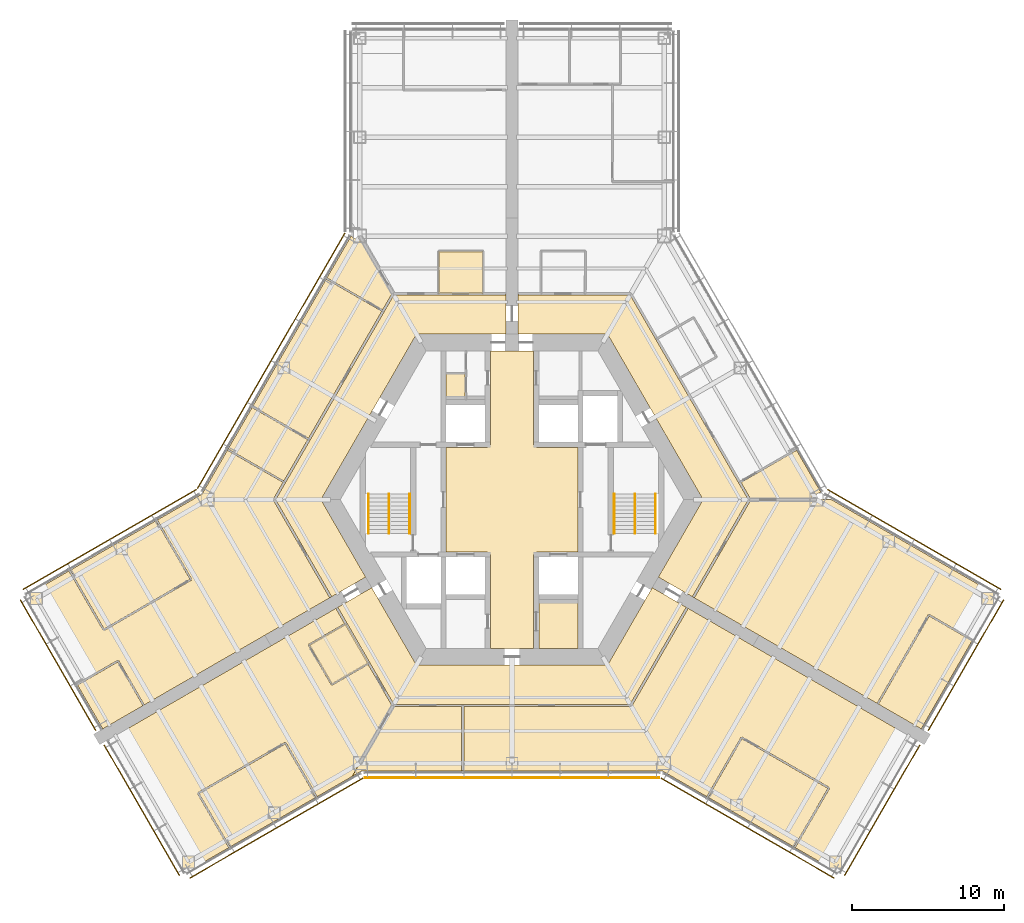
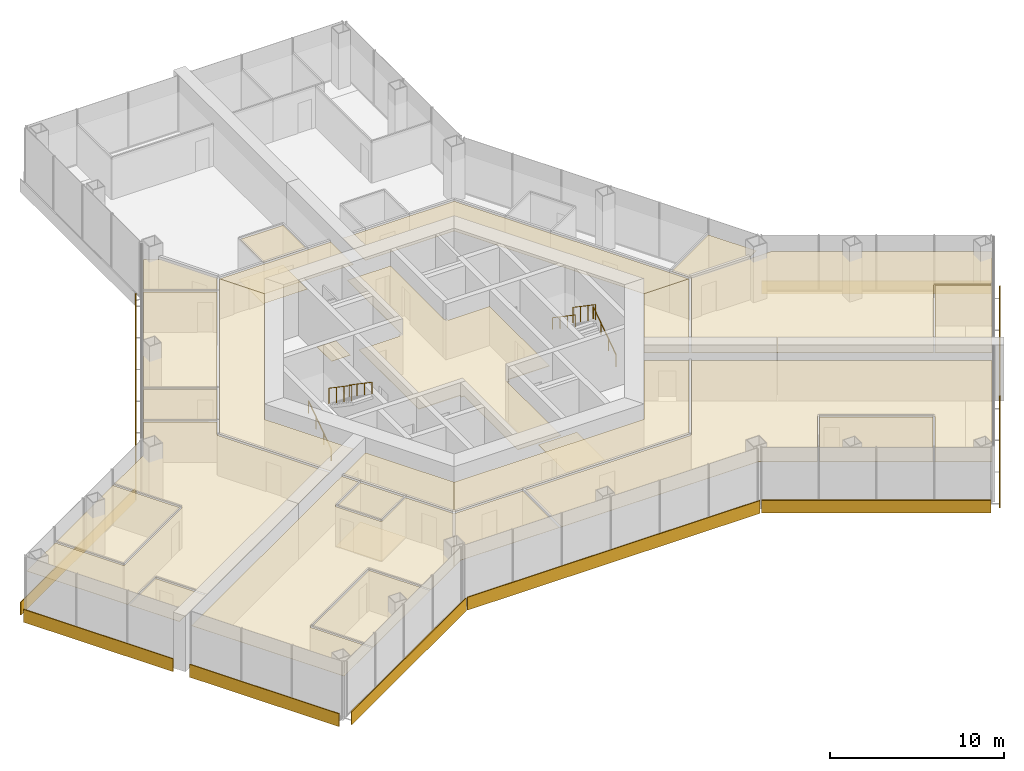
# One storey, part 17 of 18: 27 coverings, 10 shading devices, 6 railings.
"""IFC4 building model written with IfcOpenShell, lengths in metres."""

import ifcopenshell
import ifcopenshell.guid

model = None  # the IFC model being written
_history = None  # IfcOwnerHistory: only IFC2X3 demands one
_inside = {}  # id of a spatial element -> (the spatial element, [elements in it])
_under = {}  # id of a project, library or spatial element -> (it, [spatial elements below it])
_declared = {}  # id of a project -> (the project, [libraries it declares])
_typed = {}  # id of a type object -> (the type object, [elements of that type])
_made_of = {}  # id of a material, layer set ... -> (it, [elements and type objects made of it])


def new_model(schema):
    """Start an empty IFC model of exactly this schema.

    Asked for "IFC4X3", IfcOpenShell would pick the latest addendum, in which some entities
    have other attributes; the version numbers below select the first issue.
    IFC2X3 requires an IfcOwnerHistory on every rooted entity: one is made here for all.
    """
    global model, _history
    if schema == "IFC4X3":
        model = ifcopenshell.file(schema_version=(4, 3, 0, 0))
    else:
        model = ifcopenshell.file(schema=schema)
    _inside.clear()
    _under.clear()
    _declared.clear()
    _typed.clear()
    _made_of.clear()
    _history = None
    if model.schema == "IFC2X3":
        org = make("IfcOrganization", Name="unknown")
        user = make(
            "IfcPersonAndOrganization",
            ThePerson=make("IfcPerson", FamilyName="unknown"),
            TheOrganization=org,
        )
        app = make(
            "IfcApplication",
            ApplicationDeveloper=org,
            Version="unknown",
            ApplicationFullName="unknown",
            ApplicationIdentifier="unknown",
        )
        _history = make(
            "IfcOwnerHistory",
            OwningUser=user,
            OwningApplication=app,
            ChangeAction="ADDED",
            CreationDate=0,
        )
    return model


def make(cls, **values):
    """One entity of the class cls with the attributes given. An attribute that is None is left unset."""
    return model.create_entity(
        cls, **{name: value for name, value in values.items() if value is not None}
    )


def rooted(cls, **values):
    """An entity with a GlobalId (a new one), such as an element, a storey or a relation."""
    return make(cls, GlobalId=ifcopenshell.guid.new(), OwnerHistory=_history, **values)


def si_unit(unit_type, name, prefix=None):
    """IfcSIUnit, for example si_unit("LENGTHUNIT", "METRE", prefix="MILLI")."""
    return make("IfcSIUnit", UnitType=unit_type, Prefix=prefix, Name=name)


def assignment(units):
    """IfcUnitAssignment: the units of a project."""
    return None if units is None else make("IfcUnitAssignment", Units=units)


def point(xyz):
    """IfcCartesianPoint."""
    return None if xyz is None else make("IfcCartesianPoint", Coordinates=xyz)


def direction(xyz):
    """IfcDirection."""
    return None if xyz is None else make("IfcDirection", DirectionRatios=xyz)


def frame(location, z_axis=None, x_axis=None):
    """IfcAxis2Placement3D, a coordinate frame: its origin and axes. An axis left out is left unset."""
    return make(
        "IfcAxis2Placement3D",
        Location=point(location),
        Axis=direction(z_axis),
        RefDirection=direction(x_axis),
    )


def frame_2d(location, x_axis=None):
    """IfcAxis2Placement2D, a coordinate frame in the plane: its origin and x axis."""
    return make(
        "IfcAxis2Placement2D", Location=point(location), RefDirection=direction(x_axis)
    )


def origin():
    """The frame at (0, 0, 0) with its axes left unset."""
    return frame((0.0, 0.0, 0.0))


def origin_2d():
    """The frame at (0, 0) in the plane with its x axis left unset."""
    return frame_2d((0.0, 0.0))


def place(relative_to, where):
    """IfcLocalPlacement: puts the frame where relative to a parent placement (None: the world)."""
    return make(
        "IfcLocalPlacement", PlacementRelTo=relative_to, RelativePlacement=where
    )


def context(
    kind, dimensions, precision=None, world=None, true_north=None, identifier=None
):
    """IfcGeometricRepresentationContext, for example the 3D "Model" context."""
    return make(
        "IfcGeometricRepresentationContext",
        ContextIdentifier=identifier,
        ContextType=kind,
        CoordinateSpaceDimension=dimensions,
        Precision=precision,
        WorldCoordinateSystem=world,
        TrueNorth=true_north,
    )


def subcontext(parent, identifier, kind, view, scale=None):
    """IfcGeometricRepresentationSubContext, for example "Body" below "Model"."""
    return make(
        "IfcGeometricRepresentationSubContext",
        ContextIdentifier=identifier,
        ContextType=kind,
        ParentContext=parent,
        TargetScale=scale,
        TargetView=view,
    )


def project(units=None, contexts=None):
    """IfcProject with its units and contexts."""
    return rooted(
        "IfcProject",
        Name="project",
        RepresentationContexts=contexts,
        UnitsInContext=assignment(units),
    )


def spatial(cls, under=None, at=None, **own):
    """A site, building, storey or space (cls), placed at a placement, below another one or the project."""
    s = rooted(cls, ObjectPlacement=at, **own)
    if under is not None:
        _under.setdefault(under.id(), (under, []))[1].append(s)
    return s


def polyline(points):
    """IfcPolyline through the points."""
    return make("IfcPolyline", Points=[point(p) for p in points])


def profile(cls, at=None, kind="AREA", **sizes):
    """A parametric profile (cls). Its sizes go by their IFC names, for example OverallWidth=200.0."""
    return make(cls, ProfileType=kind, Position=at, **sizes)


def rectangle(**sizes):
    """IfcRectangleProfileDef."""
    return profile("IfcRectangleProfileDef", **sizes)


def circle(**sizes):
    """IfcCircleProfileDef."""
    return profile("IfcCircleProfileDef", **sizes)


def outline(outer, holes=None, kind="AREA"):
    """IfcArbitraryClosedProfileDef: a profile drawn as a closed curve; with holes, ...WithVoids."""
    if holes is None:
        return make("IfcArbitraryClosedProfileDef", ProfileType=kind, OuterCurve=outer)
    return make(
        "IfcArbitraryProfileDefWithVoids",
        ProfileType=kind,
        OuterCurve=outer,
        InnerCurves=holes,
    )


def extrude(swept, where, along, depth):
    """IfcExtrudedAreaSolid: the profile swept, set in the frame where, extruded along a direction by depth."""
    return make(
        "IfcExtrudedAreaSolid",
        SweptArea=swept,
        Position=where,
        ExtrudedDirection=direction(along),
        Depth=depth,
    )


def shape(context_of_items, identifier, shape_type, items):
    """IfcShapeRepresentation: the items that make up one representation, for example the "Body"."""
    return make(
        "IfcShapeRepresentation",
        ContextOfItems=context_of_items,
        RepresentationIdentifier=identifier,
        RepresentationType=shape_type,
        Items=items,
    )


def material(Name=None, Category=None):
    """IfcMaterial."""
    return make("IfcMaterial", Name=Name, Category=Category)


def layer(
    of_material, thickness, ventilated=None, Name=None, Category=None, Priority=None
):
    """IfcMaterialLayer: one layer of a wall or slab, of a material (None: an air gap)."""
    return make(
        "IfcMaterialLayer",
        Material=of_material,
        LayerThickness=thickness,
        IsVentilated=ventilated,
        Name=Name,
        Category=Category,
        Priority=Priority,
    )


def layer_set(layers, Name=None):
    """IfcMaterialLayerSet."""
    return make("IfcMaterialLayerSet", MaterialLayers=layers, LayerSetName=Name)


def made_of(thing, what):
    """Note that an element or type object is made of a material, layer set ...; save() writes the relation."""
    if what is not None:
        _made_of.setdefault(what.id(), (what, []))[1].append(thing)
    return thing


def type_object(cls, material=None, **own):
    """A type object (cls), such as IfcWallType, which elements share."""
    return made_of(rooted(cls, **own), material)


def element(
    cls,
    number,
    at=None,
    inside=None,
    cuts=None,
    type_object=None,
    material=None,
    context=None,
    identifier="Body",
    shape_type=None,
    held_by="IfcProductDefinitionShape",
    body=None,
    shapes=None,
    **own,
):
    """One element of the class cls, such as IfcWall. Its Tag is "e" and its number.

    at: its placement. inside: the storey or other place that contains it. cuts: it is an
    opening in that element (IfcRelVoidsElement). A single representation is given by context,
    identifier, shape_type and body (its items); several are given by shapes. held_by: the class
    of the entity that holds the representations. save() writes the other relations.
    """
    e = rooted(cls, Tag="e%d" % number, ObjectPlacement=at, **own)
    if body is not None:
        shapes = [shape(context, identifier, shape_type, body)]
    if shapes is not None:
        e.Representation = make(held_by, Representations=shapes)
    if inside is not None:
        _inside.setdefault(inside.id(), (inside, []))[1].append(e)
    if cuts is not None:
        rooted(
            "IfcRelVoidsElement", RelatingBuildingElement=cuts, RelatedOpeningElement=e
        )
    if type_object is not None:
        _typed.setdefault(type_object.id(), (type_object, []))[1].append(e)
    return made_of(e, material)


def aggregate(whole, parts):
    """IfcRelAggregates: a whole, such as a stair, and the parts it consists of."""
    return rooted("IfcRelAggregates", RelatingObject=whole, RelatedObjects=parts)


def save(model, path):
    """Write the relations noted so far, then the file.

    IfcRelAggregates (storeys below a building ...), IfcRelContainedInSpatialStructure (elements
    in a storey), IfcRelDefinesByType, IfcRelAssociatesMaterial and IfcRelDeclares: one each for
    every whole, place, type object, material and project.
    """
    for whole, parts in _under.values():
        aggregate(whole, parts)
    for where, things in _inside.values():
        rooted(
            "IfcRelContainedInSpatialStructure",
            RelatedElements=things,
            RelatingStructure=where,
        )
    for kind, things in _typed.values():
        rooted("IfcRelDefinesByType", RelatedObjects=things, RelatingType=kind)
    for what, things in _made_of.values():
        rooted("IfcRelAssociatesMaterial", RelatedObjects=things, RelatingMaterial=what)
    for by, libraries in _declared.values():
        rooted("IfcRelDeclares", RelatingContext=by, RelatedDefinitions=libraries)
    model.write(path)


model = new_model("IFC4")

# Units and contexts
model_context = context("Model", 3, precision=1e-05, world=origin(), true_north=direction((0.0, 1.0)))
body_context = subcontext(model_context, "Body", "Model", "MODEL_VIEW")
ifc_project = project(units=[si_unit("LENGTHUNIT", "METRE"), si_unit("AREAUNIT", "SQUARE_METRE"), si_unit("VOLUMEUNIT", "CUBIC_METRE"), si_unit("PLANEANGLEUNIT", "RADIAN"), si_unit("MASSUNIT", "GRAM", prefix="KILO")], contexts=[model_context])

# Site, building, storey
site_placement = place(None, origin())
site = spatial("IfcSite", under=ifc_project, at=site_placement, CompositionType="ELEMENT")
building_placement = place(site_placement, origin())
building = spatial("IfcBuilding", under=site, at=building_placement, Name="Kasaneha Research Tower", CompositionType="ELEMENT")
storey_placement = place(building_placement, frame((0.0, 0.0, 72.89990234375)))
storey = spatial("IfcBuildingStorey", under=building, at=storey_placement, Name="L18", CompositionType="ELEMENT", Elevation=72.89990234375)

# Covering
ifc_material_1 = material(Name="Aluminium panel ceiling", Category="aluminium")
ifc_layer_1 = layer(ifc_material_1, 0.0400390625)
ifc_layer_set_1 = layer_set([ifc_layer_1], Name="Lift lobby ceiling 40")
covering_type_1 = type_object("IfcCoveringType", Name="Lift lobby ceiling 40", PredefinedType="CEILING", material=ifc_layer_set_1)
covering_1_placement = place(storey_placement, frame((0.0, 0.0, 2.7001953125)))
element("IfcCovering", 1, at=covering_1_placement, inside=storey, type_object=covering_type_1, Name="Ceiling L18-01", PredefinedType="CEILING", context=body_context, shape_type="SweptSolid", body=[
    extrude(outline(polyline([(1.425048828125, 9.77490234375), (1.425048828125, 3.60009765625), (1.60009765625, 3.60009765625), (1.60009765625, 3.425048828125), (4.324951171875, 3.425048828125), (4.324951171875, -3.425048828125), (1.60009765625, -3.425048828125), (1.60009765625, -3.60009765625), (1.425048828125, -3.60009765625), (1.425048828125, -9.77490234375), (-1.425048828125, -9.77490234375), (-1.425048828125, -3.60009765625), (-1.60009765625, -3.60009765625), (-1.60009765625, -3.425048828125), (-4.324951171875, -3.425048828125), (-4.324951171875, 3.425048828125), (-1.60009765625, 3.425048828125), (-1.60009765625, 3.60009765625), (-1.425048828125, 3.60009765625), (-1.425048828125, 9.77490234375), (1.425048828125, 9.77490234375)])), origin(), (0.0, 0.0, 1.0), 0.039794921875),
])

# Railings
ifc_material_2 = material(Name="Steel", Category="steel")
railing_type_1 = type_object("IfcRailingType", Name="Stair balustrade 1100", PredefinedType="GUARDRAIL", material=ifc_material_2)
for number, where, name in (
    (2, (8.074951171875, 0.375, 2.12744140625), "Stair 1 balustrade L18"),
    (3, (-8.074951171875, 0.375, 2.12744140625), "Stair 2 balustrade L18"),
):
    element("IfcRailing", number, at=place(storey_placement, frame(where)), inside=storey, type_object=railing_type_1, Name=name, PredefinedType="GUARDRAIL", context=body_context, shape_type="SweptSolid", body=[
        extrude(circle(Radius=0.02392578125, at=origin_2d()), frame((0.0, 0.0, 1.076171875), z_axis=(0.0, -0.826240473404, 0.563317565952), x_axis=(1.0, 0.0, 0.0)), (0.0, 0.0, 1.0), 3.14697265625),
        extrude(circle(Radius=0.02099609375, at=origin_2d()), origin(), (0.0, 0.0, 1.0), 1.052001953125),
        extrude(circle(Radius=0.02099609375, at=origin_2d()), frame((0.0, -0.86669921875, 0.5908203125)), (0.0, 0.0, 1.0), 1.052001953125),
        extrude(circle(Radius=0.02099609375, at=origin_2d()), frame((0.0, -1.7333984375, 1.181884765625)), (0.0, 0.0, 1.0), 1.052001953125),
        extrude(circle(Radius=0.02099609375, at=origin_2d()), frame((0.0, -2.60009765625, 1.772705078125)), (0.0, 0.0, 1.0), 1.052001953125),
    ])
ifc_material_3 = material(Name="Steel", Category="steel")
railing_type_2 = type_object("IfcRailingType", Name="Stair handrail 850", PredefinedType="HANDRAIL", material=ifc_material_3)
railing_1_placement = place(storey_placement, frame((9.425048828125, -2.22509765625, 0.177490234375)))
element("IfcRailing", 4, at=railing_1_placement, inside=storey, type_object=railing_type_2, Name="Stair 1 handrail L18", PredefinedType="HANDRAIL", context=body_context, shape_type="SweptSolid", body=[
    extrude(circle(Radius=0.02392578125, at=origin_2d()), frame((0.0, 0.0, 0.826171875), z_axis=(0.0, 0.826240473404, 0.563317565952), x_axis=(-1.0, 0.0, 0.0)), (0.0, 0.0, 1.0), 3.14697265625),
    extrude(circle(Radius=0.02099609375, at=origin_2d()), origin(), (0.0, 0.0, 1.0), 0.802001953125),
    extrude(circle(Radius=0.02099609375, at=origin_2d()), frame((0.0, 0.86669921875, 0.5908203125)), (0.0, 0.0, 1.0), 0.802001953125),
    extrude(circle(Radius=0.02099609375, at=origin_2d()), frame((0.0, 1.7333984375, 1.181884765625)), (0.0, 0.0, 1.0), 0.802001953125),
    extrude(circle(Radius=0.02099609375, at=origin_2d()), frame((0.0, 2.60009765625, 1.772705078125)), (0.0, 0.0, 1.0), 0.802001953125),
])
railing_2_placement = place(storey_placement, frame((6.72509765625, 0.375, 2.12744140625)))
element("IfcRailing", 5, at=railing_2_placement, inside=storey, type_object=railing_type_2, Name="Stair 1 handrail L18", PredefinedType="HANDRAIL", context=body_context, shape_type="SweptSolid", body=[
    extrude(circle(Radius=0.02392578125, at=origin_2d()), frame((0.0, 0.0, 0.826171875), z_axis=(0.0, -0.826240473404, 0.563317565952), x_axis=(1.0, 0.0, 0.0)), (0.0, 0.0, 1.0), 3.14697265625),
    extrude(circle(Radius=0.02099609375, at=origin_2d()), origin(), (0.0, 0.0, 1.0), 0.802001953125),
    extrude(circle(Radius=0.02099609375, at=origin_2d()), frame((0.0, -0.86669921875, 0.5908203125)), (0.0, 0.0, 1.0), 0.802001953125),
    extrude(circle(Radius=0.02099609375, at=origin_2d()), frame((0.0, -1.7333984375, 1.181884765625)), (0.0, 0.0, 1.0), 0.802001953125),
    extrude(circle(Radius=0.02099609375, at=origin_2d()), frame((0.0, -2.60009765625, 1.772705078125)), (0.0, 0.0, 1.0), 0.802001953125),
])
railing_3_placement = place(storey_placement, frame((-9.425048828125, -2.22509765625, 0.177490234375)))
element("IfcRailing", 6, at=railing_3_placement, inside=storey, type_object=railing_type_2, Name="Stair 2 handrail L18", PredefinedType="HANDRAIL", context=body_context, shape_type="SweptSolid", body=[
    extrude(circle(Radius=0.02392578125, at=origin_2d()), frame((0.0, 0.0, 0.826171875), z_axis=(0.0, 0.826240473404, 0.563317565952), x_axis=(-1.0, 0.0, 0.0)), (0.0, 0.0, 1.0), 3.14697265625),
    extrude(circle(Radius=0.02099609375, at=origin_2d()), origin(), (0.0, 0.0, 1.0), 0.802001953125),
    extrude(circle(Radius=0.02099609375, at=origin_2d()), frame((0.0, 0.86669921875, 0.5908203125)), (0.0, 0.0, 1.0), 0.802001953125),
    extrude(circle(Radius=0.02099609375, at=origin_2d()), frame((0.0, 1.7333984375, 1.181884765625)), (0.0, 0.0, 1.0), 0.802001953125),
    extrude(circle(Radius=0.02099609375, at=origin_2d()), frame((0.0, 2.60009765625, 1.772705078125)), (0.0, 0.0, 1.0), 0.802001953125),
])
railing_4_placement = place(storey_placement, frame((-6.72509765625, 0.375, 2.12744140625)))
element("IfcRailing", 7, at=railing_4_placement, inside=storey, type_object=railing_type_2, Name="Stair 2 handrail L18", PredefinedType="HANDRAIL", context=body_context, shape_type="SweptSolid", body=[
    extrude(circle(Radius=0.02392578125, at=origin_2d()), frame((0.0, 0.0, 0.826171875), z_axis=(0.0, -0.826240473404, 0.563317565952), x_axis=(1.0, 0.0, 0.0)), (0.0, 0.0, 1.0), 3.14697265625),
    extrude(circle(Radius=0.02099609375, at=origin_2d()), origin(), (0.0, 0.0, 1.0), 0.802001953125),
    extrude(circle(Radius=0.02099609375, at=origin_2d()), frame((0.0, -0.86669921875, 0.5908203125)), (0.0, 0.0, 1.0), 0.802001953125),
    extrude(circle(Radius=0.02099609375, at=origin_2d()), frame((0.0, -1.7333984375, 1.181884765625)), (0.0, 0.0, 1.0), 0.802001953125),
    extrude(circle(Radius=0.02099609375, at=origin_2d()), frame((0.0, -2.60009765625, 1.772705078125)), (0.0, 0.0, 1.0), 0.802001953125),
])

# Coverings
ifc_material_4 = material(Name="Gypsum ceiling board", Category="gypsum")
ifc_layer_2 = layer(ifc_material_4, 0.02001953125)
ifc_layer_set_2 = layer_set([ifc_layer_2], Name="Suspended ceiling 20")
covering_type_2 = type_object("IfcCoveringType", Name="Suspended ceiling 20", PredefinedType="CEILING", material=ifc_layer_set_2)
covering_2_placement = place(storey_placement, frame((0.0, 0.0, 2.800048828125)))
element("IfcCovering", 8, at=covering_2_placement, inside=storey, type_object=covering_type_2, Name="Ceiling L18-24", PredefinedType="CEILING", context=body_context, shape_type="SweptSolid", body=[
    extrude(outline(polyline([(6.278564453125, 10.875), (0.39990234375, 10.875), (0.39990234375, 11.72509765625), (0.39990234375, 12.72509765625), (0.39990234375, 13.52490234375), (0.419921875, 13.52490234375), (0.419921875, 13.449951171875), (1.89501953125, 13.449951171875), (1.904541015625, 13.449951171875), (4.8125, 13.449951171875), (4.822021484375, 13.449951171875), (7.765380859375, 13.449951171875), (9.4501953125, 10.531494140625), (9.4501953125, 10.53173828125), (10.950439453125, 7.93310546875), (10.95068359375, 7.93310546875), (14.896728515625, 1.09814453125), (14.896728515625, 1.09814453125), (15.53076171875, 0.0), (12.557373046875, 0.0), (6.278564453125, 10.875)])), origin(), (0.0, 0.0, 1.0), 0.02001953125),
])
covering_3_placement = place(storey_placement, frame((0.0, 0.0, 2.800048828125)))
element("IfcCovering", 9, at=covering_3_placement, inside=storey, type_object=covering_type_2, Name="Ceiling L18-30", PredefinedType="CEILING", context=body_context, shape_type="SweptSolid", body=[
    extrude(outline(polyline([(19.41845703125, 0.0), (15.617431640625, 0.0), (15.605712890625, 0.02001953125), (15.670654296875, 0.0576171875), (15.051513671875, 1.1298828125), (18.687255859375, 3.234130859375), (18.662109375, 3.27734375), (18.679443359375, 3.287353515625), (20.28759765625, 0.501708984375), (19.41845703125, 0.0)])), origin(), (0.0, 0.0, 1.0), 0.02001953125),
])
covering_4_placement = place(storey_placement, frame((0.0, 0.0, 2.800048828125)))
element("IfcCovering", 10, at=covering_4_placement, inside=storey, type_object=covering_type_2, Name="Ceiling L18-32", PredefinedType="CEILING", context=body_context, shape_type="SweptSolid", body=[
    extrude(outline(polyline([(-0.39990234375, 11.72509765625), (-0.39990234375, 10.875), (-6.278564453125, 10.875), (-7.765380859375, 13.449951171875), (-7.765380859375, 13.449951171875), (-4.833984375, 13.449951171875), (-4.824462890625, 13.449951171875), (-1.904541015625, 13.449951171875), (-1.89501953125, 13.449951171875), (-0.419921875, 13.449951171875), (-0.419921875, 13.52490234375), (-0.39990234375, 13.52490234375), (-0.39990234375, 12.72509765625), (-0.39990234375, 11.72509765625)])), origin(), (0.0, 0.0, 1.0), 0.02001953125),
])
covering_5_placement = place(storey_placement, frame((0.0, 0.0, 2.800048828125)))
element("IfcCovering", 11, at=covering_5_placement, inside=storey, type_object=covering_type_2, Name="Ceiling L18-33", PredefinedType="CEILING", context=body_context, shape_type="SweptSolid", body=[
    extrude(outline(polyline([(-4.774658203125, 13.60009765625), (-4.77880859375, 16.27490234375), (-1.9501953125, 16.27490234375), (-1.954345703125, 13.60009765625), (-4.774658203125, 13.60009765625)])), origin(), (0.0, 0.0, 1.0), 0.02001953125),
])
covering_6_placement = place(storey_placement, frame((0.0, 0.0, 2.800048828125)))
element("IfcCovering", 12, at=covering_6_placement, inside=storey, type_object=covering_type_2, Name="Ceiling L18-36", PredefinedType="CEILING", context=body_context, shape_type="SweptSolid", body=[
    extrude(outline(polyline([(-12.557373046875, 0.0), (-9.617919921875, -5.091064453125), (-11.77685546875, -6.33740234375), (-11.9130859375, -6.416015625), (-11.923095703125, -6.398681640625), (-11.858154296875, -6.361328125), (-15.53076171875, 0.0), (-14.89697265625, 1.09765625), (-14.89697265625, 1.09765625), (-13.2734375, 3.90966796875), (-13.2734375, 3.90966796875), (-8.3994140625, 12.351806640625), (-8.3994140625, 12.351806640625), (-7.765380859375, 13.449951171875), (-6.278564453125, 10.875), (-12.557373046875, 0.0)])), origin(), (0.0, 0.0, 1.0), 0.02001953125),
])
covering_7_placement = place(storey_placement, frame((0.0, 0.0, 2.800048828125)))
element("IfcCovering", 13, at=covering_7_placement, inside=storey, type_object=covering_type_2, Name="Ceiling L18-37", PredefinedType="CEILING", context=body_context, shape_type="SweptSolid", body=[
    extrude(outline(polyline([(-18.679443359375, 3.287353515625), (-17.081298828125, 6.055419921875), (-13.42822265625, 3.94140625), (-14.9970703125, 1.22412109375), (-18.63720703125, 3.320556640625), (-18.662109375, 3.27734375), (-18.679443359375, 3.287353515625)])), origin(), (0.0, 0.0, 1.0), 0.02001953125),
])
covering_8_placement = place(storey_placement, frame((0.0, 0.0, 2.800048828125)))
element("IfcCovering", 14, at=covering_8_placement, inside=storey, type_object=covering_type_2, Name="Ceiling L18-38", PredefinedType="CEILING", context=body_context, shape_type="SweptSolid", body=[
    extrude(outline(polyline([(-23.34228515625, -1.352294921875), (-23.332275390625, -1.36962890625), (-23.37548828125, -1.39453125), (-21.160400390625, -5.231201171875), (-26.806640625, -8.490966796875), (-29.03173828125, -4.63720703125), (-23.34228515625, -1.352294921875)])), origin(), (0.0, 0.0, 1.0), 0.02001953125),
])
covering_9_placement = place(storey_placement, frame((0.0, 0.0, 2.800048828125)))
element("IfcCovering", 15, at=covering_9_placement, inside=storey, type_object=covering_type_2, Name="Ceiling L18-39", PredefinedType="CEILING", context=body_context, shape_type="SweptSolid", body=[
    extrude(outline(polyline([(-9.709228515625, 16.81689453125), (-7.80859375, 13.52490234375), (-7.8203125, 13.5048828125), (-7.88525390625, 13.54248046875), (-8.50439453125, 12.469970703125), (-12.16162109375, 14.576416015625), (-10.578369140625, 17.318603515625), (-9.709228515625, 16.81689453125)])), origin(), (0.0, 0.0, 1.0), 0.02001953125),
])
covering_10_placement = place(storey_placement, frame((0.0, 0.0, 2.800048828125)))
element("IfcCovering", 16, at=covering_10_placement, inside=storey, type_object=covering_type_2, Name="Ceiling L18-40", PredefinedType="CEILING", context=body_context, shape_type="SweptSolid", body=[
    extrude(outline(polyline([(-24.20654296875, -13.513916015625), (-26.891357421875, -15.063720703125), (-28.5498046875, -12.19140625), (-25.908203125, -10.66650390625), (-24.260009765625, -13.521484375), (-24.216796875, -13.49658203125), (-24.20654296875, -13.513916015625)])), origin(), (0.0, 0.0, 1.0), 0.02001953125),
])
covering_11_placement = place(storey_placement, frame((0.0, 0.0, 2.800048828125)))
element("IfcCovering", 17, at=covering_11_placement, inside=storey, type_object=covering_type_2, Name="Ceiling L18-41", PredefinedType="CEILING", context=body_context, shape_type="SweptSolid", body=[
    extrude(outline(polyline([(-25.89013671875, -10.597900390625), (-25.9150390625, -10.554931640625), (-28.599609375, -12.10498046875), (-31.94140625, -6.31689453125), (-29.118408203125, -4.68701171875), (-26.868408203125, -8.584228515625), (-26.8251953125, -8.559326171875), (-26.824951171875, -8.5595703125), (-26.82470703125, -8.5595703125), (-26.800048828125, -8.6025390625), (-21.067138671875, -5.292724609375), (-21.092041015625, -5.249755859375), (-21.092041015625, -5.249755859375), (-21.092041015625, -5.249267578125), (-21.048828125, -5.224365234375), (-23.288818359375, -1.344482421875), (-23.331787109375, -1.369384765625), (-23.341796875, -1.35205078125), (-20.365966796875, 0.365966796875), (-18.6796875, 3.286865234375), (-18.662353515625, 3.27685546875), (-18.68701171875, 3.23388671875), (-15.047119140625, 1.137451171875), (-15.68212890625, 0.03759765625), (-15.61767578125, 0.000244140625), (-15.617919921875, -0.000244140625), (-15.61767578125, -0.000244140625), (-15.68212890625, -0.03759765625), (-11.988037109375, -6.436279296875), (-11.92333984375, -6.39892578125), (-11.913330078125, -6.416259765625), (-14.747802734375, -8.052734375), (-24.206298828125, -13.513671875), (-24.21630859375, -13.496337890625), (-24.17333984375, -13.471435546875), (-25.8466796875, -10.5732421875), (-25.8896484375, -10.59814453125), (-25.889892578125, -10.59765625), (-25.89013671875, -10.597900390625)])), origin(), (0.0, 0.0, 1.0), 0.02001953125),
])
covering_12_placement = place(storey_placement, frame((0.0, 0.0, 2.800048828125)))
element("IfcCovering", 18, at=covering_12_placement, inside=storey, type_object=covering_type_2, Name="Ceiling L18-42", PredefinedType="CEILING", context=body_context, shape_type="SweptSolid", body=[
    extrude(outline(polyline([(-17.055908203125, 6.09912109375), (-12.186767578125, 14.53271484375), (-12.186767578125, 14.53271484375), (-12.211669921875, 14.489990234375), (-8.55419921875, 12.383544921875), (-13.37841796875, 4.028076171875), (-17.03125, 6.14208984375), (-17.055908203125, 6.09912109375), (-17.055908203125, 6.09912109375)])), origin(), (0.0, 0.0, 1.0), 0.02001953125),
])
covering_13_placement = place(storey_placement, frame((0.0, 0.0, 2.800048828125)))
element("IfcCovering", 19, at=covering_13_placement, inside=storey, type_object=covering_type_2, Name="Ceiling L18-43", PredefinedType="CEILING", context=body_context, shape_type="SweptSolid", body=[
    extrude(outline(polyline([(-7.765380859375, -13.449951171875), (-9.350341796875, -10.704833984375), (-9.350341796875, -10.704833984375), (-10.8505859375, -8.106201171875), (-10.8505859375, -8.106201171875), (-11.43798828125, -7.088623046875), (-11.5029296875, -7.126220703125), (-11.512939453125, -7.10888671875), (-9.218017578125, -5.783935546875), (-6.278564453125, -10.875), (-7.765380859375, -13.449951171875)])), origin(), (0.0, 0.0, 1.0), 0.02001953125),
])
covering_14_placement = place(storey_placement, frame((0.0, 0.0, 2.800048828125)))
element("IfcCovering", 20, at=covering_14_placement, inside=storey, type_object=covering_type_2, Name="Ceiling L18-44", PredefinedType="CEILING", context=body_context, shape_type="SweptSolid", body=[
    extrude(outline(polyline([(-10.95068359375, -8.232666015625), (-9.505126953125, -10.736572265625), (-11.819580078125, -12.077880859375), (-13.26953125, -9.56640625), (-10.95068359375, -8.232666015625)])), origin(), (0.0, 0.0, 1.0), 0.02001953125),
])
covering_15_placement = place(storey_placement, frame((0.0, 0.0, 2.800048828125)))
element("IfcCovering", 21, at=covering_15_placement, inside=storey, type_object=covering_type_2, Name="Ceiling L18-45", PredefinedType="CEILING", context=body_context, shape_type="SweptSolid", body=[
    extrude(outline(polyline([(-18.574951171875, -22.8486328125), (-18.5849609375, -22.831298828125), (-18.541748046875, -22.806396484375), (-20.556640625, -19.316162109375), (-14.910400390625, -16.056396484375), (-12.885498046875, -19.563720703125), (-12.84228515625, -19.538818359375), (-12.84228515625, -19.538818359375), (-18.574951171875, -22.8486328125)])), origin(), (0.0, 0.0, 1.0), 0.02001953125),
])
covering_16_placement = place(storey_placement, frame((0.0, 0.0, 2.800048828125)))
element("IfcCovering", 22, at=covering_16_placement, inside=storey, type_object=covering_type_2, Name="Ceiling L18-46", PredefinedType="CEILING", context=body_context, shape_type="SweptSolid", body=[
    extrude(outline(polyline([(-13.33837890625, -9.548095703125), (-13.338134765625, -9.54833984375), (-13.381103515625, -9.572998046875), (-11.881103515625, -12.171142578125), (-11.83837890625, -12.146484375), (-11.83837890625, -12.146484375), (-11.837890625, -12.146240234375), (-11.812744140625, -12.189453125), (-9.455078125, -10.8232421875), (-7.88525390625, -13.54248046875), (-7.820556640625, -13.505126953125), (-7.808837890625, -13.525390625), (-10.5, -18.1865234375), (-12.841796875, -19.53857421875), (-12.841796875, -19.53857421875), (-12.798828125, -19.513916015625), (-14.848876953125, -15.963134765625), (-14.89208984375, -15.988037109375), (-14.89208984375, -15.987548828125), (-14.892333984375, -15.98779296875), (-14.917236328125, -15.94482421875), (-20.64990234375, -19.254638671875), (-20.625244140625, -19.297607421875), (-20.625244140625, -19.297607421875), (-20.625, -19.2978515625), (-20.668212890625, -19.322998046875), (-18.62841796875, -22.856201171875), (-18.58544921875, -22.83154296875), (-18.575439453125, -22.848876953125), (-21.44140625, -24.50341796875), (-26.491455078125, -15.756591796875), (-11.513427734375, -7.109130859375), (-11.50341796875, -7.12646484375), (-11.56787109375, -7.163818359375), (-11.000732421875, -8.14599609375), (-13.36279296875, -9.504638671875), (-13.337890625, -9.5478515625), (-13.33837890625, -9.548095703125)])), origin(), (0.0, 0.0, 1.0), 0.02001953125),
])
covering_17_placement = place(storey_placement, frame((0.0, 0.0, 2.800048828125)))
element("IfcCovering", 23, at=covering_17_placement, inside=storey, type_object=covering_type_2, Name="Ceiling L18-47", PredefinedType="CEILING", context=body_context, shape_type="SweptSolid", body=[
    extrude(outline(polyline([(9.617919921875, -5.091064453125), (12.557373046875, 0.0), (15.53076171875, 0.0), (15.53076171875, 0.0), (11.858154296875, -6.361328125), (11.923095703125, -6.398681640625), (11.9130859375, -6.416015625), (11.77685546875, -6.33740234375), (9.617919921875, -5.091064453125)])), origin(), (0.0, 0.0, 1.0), 0.02001953125),
])
covering_18_placement = place(storey_placement, frame((0.0, 0.0, 2.800048828125)))
element("IfcCovering", 24, at=covering_18_placement, inside=storey, type_object=covering_type_2, Name="Ceiling L18-48", PredefinedType="CEILING", context=body_context, shape_type="SweptSolid", body=[
    extrude(outline(polyline([(24.033447265625, -13.413818359375), (24.04345703125, -13.396484375), (24.0869140625, -13.42138671875), (27.41845703125, -7.65087890625), (30.23291015625, -9.27587890625), (30.258056640625, -9.232666015625), (30.258056640625, -9.232666015625), (26.891357421875, -15.063720703125), (24.033447265625, -13.413818359375)])), origin(), (0.0, 0.0, 1.0), 0.02001953125),
])
covering_19_placement = place(storey_placement, frame((0.0, 0.0, 2.800048828125)))
element("IfcCovering", 25, at=covering_19_placement, inside=storey, type_object=covering_type_2, Name="Ceiling L18-49", PredefinedType="CEILING", context=body_context, shape_type="SweptSolid", body=[
    extrude(outline(polyline([(21.0, 0.0), (31.94140625, -6.31689453125), (30.25830078125, -9.232177734375), (30.25830078125, -9.232177734375), (30.282958984375, -9.189208984375), (27.425048828125, -7.539306640625), (27.400146484375, -7.58251953125), (27.399658203125, -7.582275390625), (27.399658203125, -7.582275390625), (27.356689453125, -7.5576171875), (24.000244140625, -13.37158203125), (24.04296875, -13.396240234375), (24.032958984375, -13.41357421875), (15.218994140625, -8.324951171875), (11.913330078125, -6.416259765625), (11.92333984375, -6.39892578125), (11.988037109375, -6.436279296875), (15.670654296875, -0.0576171875), (15.606201171875, -0.020263671875), (15.617919921875, 0.0), (21.0, 0.0)])), origin(), (0.0, 0.0, 1.0), 0.02001953125),
])
covering_20_placement = place(storey_placement, frame((0.0, 0.0, 2.800048828125)))
element("IfcCovering", 26, at=covering_20_placement, inside=storey, type_object=covering_type_2, Name="Ceiling L18-50", PredefinedType="CEILING", context=body_context, shape_type="SweptSolid", body=[
    extrude(outline(polyline([(-6.278564453125, -10.875), (6.278564453125, -10.875), (9.218017578125, -5.783935546875), (11.512939453125, -7.10888671875), (11.5029296875, -7.126220703125), (11.43798828125, -7.088623046875), (7.765380859375, -13.449951171875), (-3.241455078125, -13.449951171875), (-3.25146484375, -13.449951171875), (-7.765380859375, -13.449951171875), (-7.765380859375, -13.449951171875), (-6.278564453125, -10.875)])), origin(), (0.0, 0.0, 1.0), 0.02001953125),
])
covering_21_placement = place(storey_placement, frame((0.0, 0.0, 2.800048828125)))
element("IfcCovering", 27, at=covering_21_placement, inside=storey, type_object=covering_type_2, Name="Ceiling L18-51", PredefinedType="CEILING", context=body_context, shape_type="SweptSolid", body=[
    extrude(outline(polyline([(12.84228515625, -19.538818359375), (12.84228515625, -19.538818359375), (12.885498046875, -19.563720703125), (15.110595703125, -15.7099609375), (20.756591796875, -18.9697265625), (18.541748046875, -22.806396484375), (18.5849609375, -22.831298828125), (18.574951171875, -22.8486328125), (12.84228515625, -19.538818359375)])), origin(), (0.0, 0.0, 1.0), 0.02001953125),
])
covering_22_placement = place(storey_placement, frame((0.0, 0.0, 2.800048828125)))
element("IfcCovering", 28, at=covering_22_placement, inside=storey, type_object=covering_type_2, Name="Ceiling L18-52", PredefinedType="CEILING", context=body_context, shape_type="SweptSolid", body=[
    extrude(outline(polyline([(7.80908203125, -13.525146484375), (7.87353515625, -13.5625), (11.56787109375, -7.163818359375), (11.50341796875, -7.12646484375), (11.513427734375, -7.109130859375), (26.491455078125, -15.756591796875), (21.44140625, -24.50341796875), (18.575439453125, -22.848876953125), (18.58544921875, -22.83154296875), (18.62841796875, -22.856201171875), (20.868408203125, -18.9765625), (20.8251953125, -18.95166015625), (20.825439453125, -18.951171875), (20.8251953125, -18.951171875), (20.85009765625, -18.908203125), (15.1171875, -15.598388671875), (15.092529296875, -15.641357421875), (15.092529296875, -15.641357421875), (15.092041015625, -15.6416015625), (15.048828125, -15.61669921875), (12.798828125, -19.513916015625), (12.841796875, -19.53857421875), (12.841796875, -19.53857421875), (9.865966796875, -17.820556640625), (-3.246337890625, -17.820556640625), (-3.246337890625, -17.800537109375), (-3.17138671875, -17.800537109375), (-3.16650390625, -13.60009765625), (7.80859375, -13.60009765625), (7.80859375, -13.525390625), (7.808837890625, -13.525390625), (7.80908203125, -13.525146484375)])), origin(), (0.0, 0.0, 1.0), 0.02001953125),
])
covering_23_placement = place(storey_placement, frame((0.0, 0.0, 2.800048828125)))
element("IfcCovering", 29, at=covering_23_placement, inside=storey, type_object=covering_type_2, Name="Ceiling L18-53", PredefinedType="CEILING", context=body_context, shape_type="SweptSolid", body=[
    extrude(outline(polyline([(-7.808837890625, -13.525390625), (-7.78564453125, -13.525390625), (-7.78564453125, -13.60009765625), (-3.31640625, -13.60009765625), (-3.3212890625, -17.80029296875), (-3.246337890625, -17.800537109375), (-3.246337890625, -17.820556640625), (-9.865966796875, -17.820556640625), (-10.5, -18.1865234375), (-7.808837890625, -13.525390625)])), origin(), (0.0, 0.0, 1.0), 0.02001953125),
])

# Shading devices
ifc_material_5 = material(Name="Terracotta", Category="masonry")
ifc_layer_3 = layer(ifc_material_5, 0.06005859375)
ifc_layer_set_3 = layer_set([ifc_layer_3], Name="Terracotta baguette screen")
shading_device_type = type_object("IfcShadingDeviceType", Name="Terracotta baguette screen", PredefinedType="USERDEFINED", material=ifc_layer_set_3)
shading_device_1_placement = place(storey_placement, frame((-15.483642578125, -21.58349609375, -0.449951171875), z_axis=(0.0, 0.0, 1.0), x_axis=(0.866025411464, 0.499999986699, 0.0)))
element("IfcShadingDevice", 30, at=shading_device_1_placement, inside=storey, type_object=shading_device_type, Name="Baguette screen L18 01", ObjectType="TERRACOTTA BAGUETTE SCREEN", PredefinedType="USERDEFINED", context=body_context, shape_type="SweptSolid", body=[
    extrude(rectangle(XDim=13.13916015625, YDim=0.06005859375, at=origin_2d()), origin(), (0.0, 0.0, 1.0), 0.89990234375),
])
shading_device_2_placement = place(storey_placement, frame((0.0, -18.2705078125, -0.449951171875), z_axis=(0.0, 0.0, 1.0), x_axis=(1.0, 0.0, 0.0)))
element("IfcShadingDevice", 31, at=shading_device_2_placement, inside=storey, type_object=shading_device_type, Name="Baguette screen L18 02", ObjectType="TERRACOTTA BAGUETTE SCREEN", PredefinedType="USERDEFINED", context=body_context, shape_type="SweptSolid", body=[
    extrude(rectangle(XDim=19.37841796875, YDim=0.06005859375, at=origin_2d()), origin(), (0.0, 0.0, 1.0), 0.89990234375),
])
shading_device_3_placement = place(storey_placement, frame((15.483642578125, -21.58349609375, -0.449951171875), z_axis=(0.0, 0.0, 1.0), x_axis=(0.866025411464, -0.499999986699, 0.0)))
element("IfcShadingDevice", 32, at=shading_device_3_placement, inside=storey, type_object=shading_device_type, Name="Baguette screen L18 03", ObjectType="TERRACOTTA BAGUETTE SCREEN", PredefinedType="USERDEFINED", context=body_context, shape_type="SweptSolid", body=[
    extrude(rectangle(XDim=13.13916015625, YDim=0.06005859375, at=origin_2d()), origin(), (0.0, 0.0, 1.0), 0.89990234375),
])
for number, where, z_axis, x_axis, name in (
    (33, (24.3310546875, -20.3984375, -0.449951171875), (0.0, 0.0, 1.0), (0.500000011442, 0.866025397178, 0.0), "Baguette screen L18 04"),
    (34, (29.8310546875, -10.8720703125, -0.449951171875), (0.0, 0.0, 1.0), (0.500000011442, 0.866025397178, 0.0), "Baguette screen L18 05"),
):
    element("IfcShadingDevice", number, at=place(storey_placement, frame(where, z_axis=z_axis, x_axis=x_axis)), inside=storey, type_object=shading_device_type, Name=name, ObjectType="TERRACOTTA BAGUETTE SCREEN", PredefinedType="USERDEFINED", context=body_context, shape_type="SweptSolid", body=[
        extrude(rectangle(XDim=9.89990234375, YDim=0.06005859375, at=origin_2d()), origin(), (0.0, 0.0, 1.0), 0.89990234375),
    ])
shading_device_4_placement = place(storey_placement, frame((26.43359375, -2.617431640625, -0.449951171875), z_axis=(0.0, 0.0, 1.0), x_axis=(-0.866025411464, 0.499999986699, 0.0)))
element("IfcShadingDevice", 35, at=shading_device_4_placement, inside=storey, type_object=shading_device_type, Name="Baguette screen L18 06", ObjectType="TERRACOTTA BAGUETTE SCREEN", PredefinedType="USERDEFINED", context=body_context, shape_type="SweptSolid", body=[
    extrude(rectangle(XDim=13.13916015625, YDim=0.06005859375, at=origin_2d()), origin(), (0.0, 0.0, 1.0), 0.89990234375),
])
shading_device_5_placement = place(storey_placement, frame((-15.82275390625, 9.13525390625, -0.449951171875), z_axis=(0.0, 0.0, 1.0), x_axis=(-0.49999996188, -0.866025425793, 0.0)))
element("IfcShadingDevice", 36, at=shading_device_5_placement, inside=storey, type_object=shading_device_type, Name="Baguette screen L18 12", ObjectType="TERRACOTTA BAGUETTE SCREEN", PredefinedType="USERDEFINED", context=body_context, shape_type="SweptSolid", body=[
    extrude(rectangle(XDim=19.37841796875, YDim=0.06005859375, at=origin_2d()), origin(), (0.0, 0.0, 1.0), 0.89990234375),
])
shading_device_6_placement = place(storey_placement, frame((-26.43359375, -2.617431640625, -0.449951171875), z_axis=(0.0, 0.0, 1.0), x_axis=(-0.866025411464, -0.499999986699, 0.0)))
element("IfcShadingDevice", 37, at=shading_device_6_placement, inside=storey, type_object=shading_device_type, Name="Baguette screen L18 13", ObjectType="TERRACOTTA BAGUETTE SCREEN", PredefinedType="USERDEFINED", context=body_context, shape_type="SweptSolid", body=[
    extrude(rectangle(XDim=13.13916015625, YDim=0.06005859375, at=origin_2d()), origin(), (0.0, 0.0, 1.0), 0.89990234375),
])
for number, where, z_axis, x_axis, name in (
    (38, (-29.8310546875, -10.8720703125, -0.449951171875), (0.0, 0.0, 1.0), (0.500000011442, -0.866025397178, 0.0), "Baguette screen L18 14"),
    (39, (-24.3310546875, -20.3984375, -0.449951171875), (0.0, 0.0, 1.0), (0.500000011442, -0.866025397178, 0.0), "Baguette screen L18 15"),
):
    element("IfcShadingDevice", number, at=place(storey_placement, frame(where, z_axis=z_axis, x_axis=x_axis)), inside=storey, type_object=shading_device_type, Name=name, ObjectType="TERRACOTTA BAGUETTE SCREEN", PredefinedType="USERDEFINED", context=body_context, shape_type="SweptSolid", body=[
        extrude(rectangle(XDim=9.89990234375, YDim=0.06005859375, at=origin_2d()), origin(), (0.0, 0.0, 1.0), 0.89990234375),
    ])

# Coverings
ifc_material_6 = material(Name="Vinyl sheet flooring", Category="plastic")
ifc_layer_4 = layer(ifc_material_6, 0.0048828125)
ifc_layer_set_4 = layer_set([ifc_layer_4], Name="Wet room sheet flooring 5")
covering_type_3 = type_object("IfcCoveringType", Name="Wet room sheet flooring 5", PredefinedType="FLOORING", material=ifc_layer_set_4)
covering_24_placement = place(storey_placement, origin())
element("IfcCovering", 40, at=covering_24_placement, inside=storey, type_object=covering_type_3, Name="Floor finish L18-07", PredefinedType="FLOORING", context=body_context, shape_type="SweptSolid", body=[
    extrude(outline(polyline([(-4.324951171875, 6.574951171875), (-4.324951171875, 8.25), (-3.074951171875, 8.25), (-3.074951171875, 6.574951171875), (-4.324951171875, 6.574951171875)])), origin(), (0.0, 0.0, 1.0), 0.005126953125),
])
covering_25_placement = place(storey_placement, origin())
element("IfcCovering", 41, at=covering_25_placement, inside=storey, type_object=covering_type_3, Name="Floor finish L18-11", PredefinedType="FLOORING", context=body_context, shape_type="SweptSolid", body=[
    extrude(outline(polyline([(1.77490234375, -9.77490234375), (1.77490234375, -6.574951171875), (4.324951171875, -6.574951171875), (4.324951171875, -9.77490234375), (1.77490234375, -9.77490234375)])), origin(), (0.0, 0.0, 1.0), 0.005126953125),
])
covering_26_placement = place(storey_placement, origin())
element("IfcCovering", 42, at=covering_26_placement, inside=storey, type_object=covering_type_3, Name="Floor finish L18-33", PredefinedType="FLOORING", context=body_context, shape_type="SweptSolid", body=[
    extrude(outline(polyline([(-4.8291015625, 16.324951171875), (-1.89990234375, 16.324951171875), (-1.89990234375, 13.52490234375), (-4.8291015625, 13.52490234375), (-4.8291015625, 16.324951171875)])), origin(), (0.0, 0.0, 1.0), 0.005126953125),
])
covering_27_placement = place(storey_placement, origin())
element("IfcCovering", 43, at=covering_27_placement, inside=storey, type_object=covering_type_3, Name="Floor finish L18-44", PredefinedType="FLOORING", context=body_context, shape_type="SweptSolid", body=[
    extrude(outline(polyline([(-11.837890625, -12.146240234375), (-13.337890625, -9.548095703125), (-10.9130859375, -8.148193359375), (-9.4130859375, -10.746337890625), (-11.837890625, -12.146240234375)])), origin(), (0.0, 0.0, 1.0), 0.005126953125),
])

save(model, "model.ifc")
